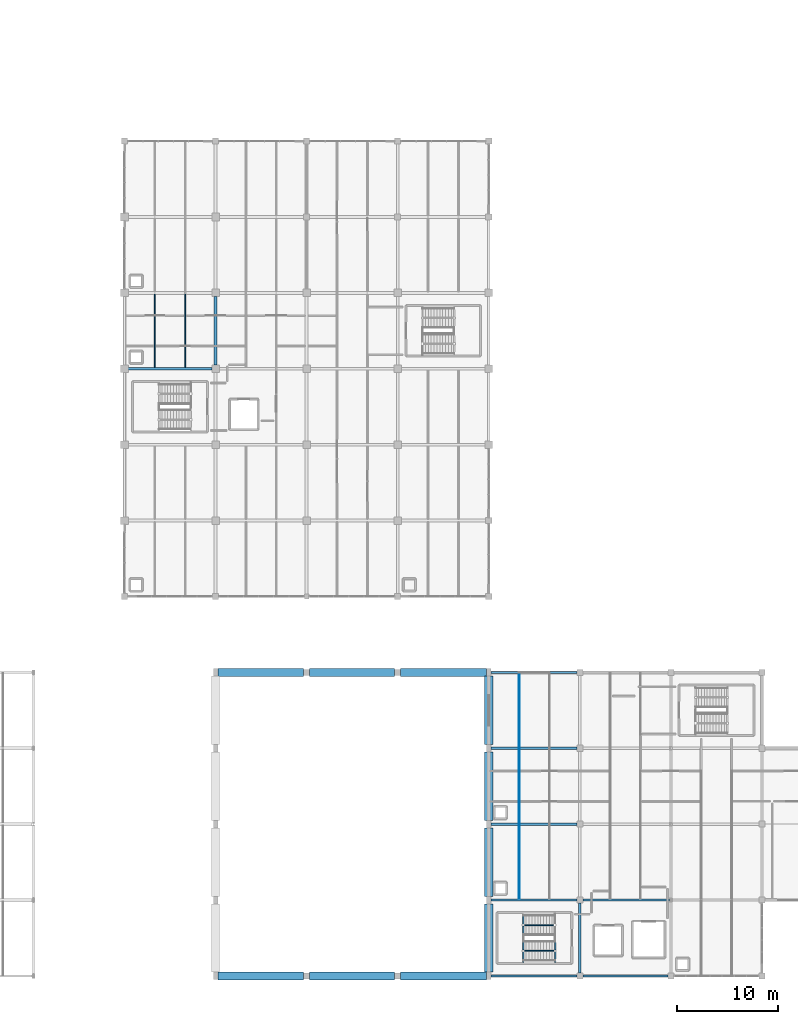
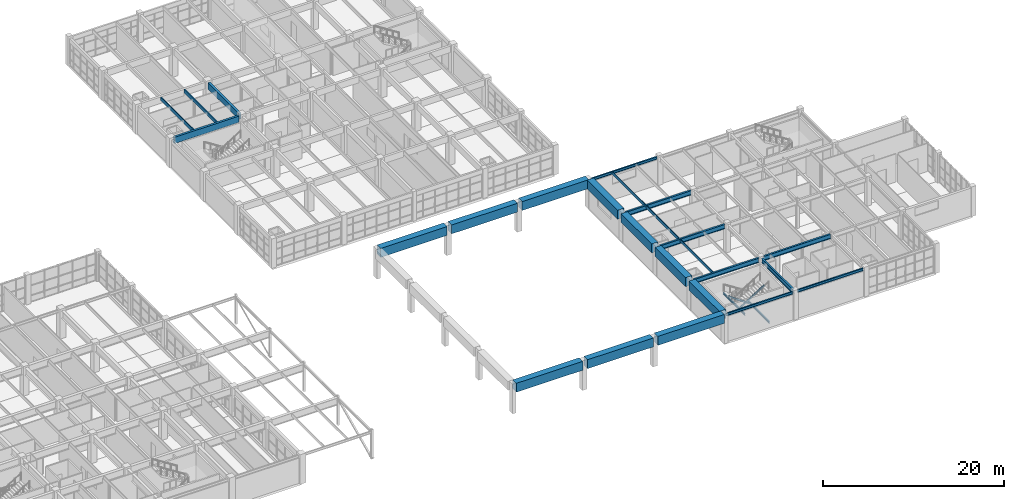
# One storey, part 19 of 76: 27 beams, 2 members.
"""IFC4 building model written with IfcOpenShell, lengths in metres."""

from ifc_helpers import new_model, si_unit, direction, frame, origin, origin_2d, place, context, subcontext, project, spatial, rectangle, hollow_rectangle, i_section, extrude, material, material_profile, profile_set, type_object, element, save


model = new_model("IFC4")

# Units and contexts
model_context = context("Model", 3, precision=1e-05, world=origin(), true_north=direction((0.0, 1.0)))
body_context = subcontext(model_context, "Body", "Model", "MODEL_VIEW")
ifc_project = project(units=[si_unit("LENGTHUNIT", "METRE"), si_unit("AREAUNIT", "SQUARE_METRE"), si_unit("VOLUMEUNIT", "CUBIC_METRE"), si_unit("PLANEANGLEUNIT", "RADIAN"), si_unit("MASSUNIT", "GRAM", prefix="KILO")], contexts=[model_context])

# Site, building, storey
site_placement = place(None, origin())
site = spatial("IfcSite", under=ifc_project, at=site_placement, CompositionType="ELEMENT")
building_placement = place(site_placement, origin())
building = spatial("IfcBuilding", under=site, at=building_placement, Name="Marnridge Secondary College", CompositionType="ELEMENT")
storey_placement = place(building_placement, frame((0.0, 0.0, 4.5)))
storey = spatial("IfcBuildingStorey", under=building, at=storey_placement, Name="L01", CompositionType="ELEMENT", Elevation=4.5)

# Beams
ifc_material_1 = material(Name="Glulam timber GL18", Category="wood")
ifc_material_profile_1 = material_profile(ifc_material_1, rectangle(XDim=0.280029296875, YDim=0.85498046875, at=origin_2d()), Name="GL18 280x855")
ifc_profile_set_1 = profile_set([ifc_material_profile_1], Name="Glulam timber GL18")
beam_type_1 = type_object("IfcBeamType", Name="BM-GL855-INT", PredefinedType="BEAM", material=ifc_profile_set_1)
beam_1_placement = place(storey_placement, frame((54.368896484375, 60.0, 3.3125), z_axis=(1.0, 0.0, 0.0), x_axis=(0.0, 1.0, 0.0)))
element("IfcBeam", 1, at=beam_1_placement, inside=storey, type_object=beam_type_1, Name="Beam B-L01-0423", PredefinedType="BEAM", context=body_context, shape_type="SweptSolid", body=[
    extrude(rectangle(XDim=0.280029296875, YDim=0.85498046875, at=origin_2d()), origin(), (0.0, 0.0, 1.0), 8.26220703125),
])
beam_2_placement = place(storey_placement, frame((63.0, 60.368896484375, 3.3125), z_axis=(0.0, 1.0, 0.0), x_axis=(-1.0, 0.0, 0.0)))
element("IfcBeam", 2, at=beam_2_placement, inside=storey, type_object=beam_type_1, Name="Beam B-L01-0428", PredefinedType="BEAM", context=body_context, shape_type="SweptSolid", body=[
    extrude(rectangle(XDim=0.280029296875, YDim=0.85498046875, at=origin_2d()), origin(), (0.0, 0.0, 1.0), 6.76220703125),
])
ifc_material_2 = material(Name="Engineered timber LVL E13.2", Category="wood")
ifc_material_profile_2 = material_profile(ifc_material_2, rectangle(XDim=0.074951171875, YDim=0.39990234375, at=origin_2d()), Name="LVL 75x400")
ifc_profile_set_2 = profile_set([ifc_material_profile_2], Name="Engineered timber LVL E13.2")
beam_type_2 = type_object("IfcBeamType", Name="BM-LVL400-INT", PredefinedType="JOIST", material=ifc_profile_set_2)
for number, where, z_axis, x_axis, name in (
    (3, (93.0, 7.60791015625, 3.570068359375), (0.0, 1.0, 0.0), (-1.0, 0.0, 0.0), "Beam BJ-L01-0544"),
    (4, (93.0, 15.10791015625, 3.570068359375), (0.0, 1.0, 0.0), (-1.0, 0.0, 0.0), "Beam BJ-L01-0546"),
):
    element("IfcBeam", number, at=place(storey_placement, frame(where, z_axis=z_axis, x_axis=x_axis)), inside=storey, type_object=beam_type_2, Name=name, PredefinedType="JOIST", context=body_context, shape_type="SweptSolid", body=[
        extrude(rectangle(XDim=0.074951171875, YDim=0.39990234375, at=origin_2d()), origin(), (0.0, 0.0, 1.0), 7.2841796875),
    ])
beam_3_placement = place(storey_placement, frame((93.0, 22.60791015625, 3.570068359375), z_axis=(0.0, 1.0, 0.0), x_axis=(-1.0, 0.0, 0.0)))
element("IfcBeam", 5, at=beam_3_placement, inside=storey, type_object=beam_type_2, Name="Beam BJ-L01-0548", PredefinedType="JOIST", context=body_context, shape_type="SweptSolid", body=[
    extrude(rectangle(XDim=0.074951171875, YDim=0.39990234375, at=origin_2d()), origin(), (0.0, 0.0, 1.0), 7.3125),
])
ifc_material_3 = material(Name="Engineered timber LVL E13.2", Category="wood")
ifc_material_profile_3 = material_profile(ifc_material_3, rectangle(XDim=0.1259765625, YDim=0.449951171875, at=origin_2d()), Name="LVL 126x450")
ifc_profile_set_3 = profile_set([ifc_material_profile_3], Name="Engineered timber LVL E13.2")
beam_type_3 = type_object("IfcBeamType", Name="BM-LVL450-INT", PredefinedType="JOIST", material=ifc_profile_set_3)
for number, where, z_axis, x_axis, name in (
    (6, (57.0, 60.134033203125, 3.514892578125), (0.0, 1.0, 0.0), (-1.0, 0.0, 0.0), "Beam BJ-L01-0478"),
    (7, (60.0, 60.134033203125, 3.514892578125), (0.0, 1.0, 0.0), (-1.0, 0.0, 0.0), "Beam BJ-L01-0479"),
):
    element("IfcBeam", number, at=place(storey_placement, frame(where, z_axis=z_axis, x_axis=x_axis)), inside=storey, type_object=beam_type_3, Name=name, PredefinedType="JOIST", context=body_context, shape_type="SweptSolid", body=[
        extrude(rectangle(XDim=0.1259765625, YDim=0.449951171875, at=origin_2d()), origin(), (0.0, 0.0, 1.0), 7.23193359375),
    ])
ifc_material_4 = material(Name="Concrete C50/60 (AS 3600 N50, 50 MPa)", Category="concrete")
ifc_material_profile_4 = material_profile(ifc_material_4, rectangle(XDim=0.800048828125, YDim=1.199951171875, at=origin_2d()), Name="RC 800x1200")
ifc_profile_set_4 = profile_set([ifc_material_profile_4], Name="Concrete C50/60 (AS 3600 N50, 50 MPa)")
beam_type_4 = type_object("IfcBeamType", Name="BM-RING-8012", PredefinedType="USERDEFINED", material=ifc_profile_set_4)
for number, where, z_axis, x_axis, name in (
    (8, (63.218994140625, 0.0, 3.39990234375), (1.0, 0.0, 0.0), (0.0, 1.0, 0.0), "Beam BRG-L01-0021"),
    (9, (63.218994140625, 30.0, 3.39990234375), (1.0, 0.0, 0.0), (0.0, 1.0, 0.0), "Beam BRG-L01-0022"),
):
    element("IfcBeam", number, at=place(storey_placement, frame(where, z_axis=z_axis, x_axis=x_axis)), inside=storey, type_object=beam_type_4, Name=name, ObjectType="RING BEAM", PredefinedType="USERDEFINED", context=body_context, shape_type="SweptSolid", body=[
        extrude(rectangle(XDim=0.800048828125, YDim=1.199951171875, at=origin_2d()), origin(), (0.0, 0.0, 1.0), 8.487060546875),
    ])
for number, where, z_axis, x_axis, name in (
    (10, (72.2939453125, 0.0, 3.39990234375), (1.0, 0.0, 0.0), (0.0, 1.0, 0.0), "Beam BRG-L01-0023"),
    (11, (72.2939453125, 30.0, 3.39990234375), (1.0, 0.0, 0.0), (0.0, 1.0, 0.0), "Beam BRG-L01-0024"),
):
    element("IfcBeam", number, at=place(storey_placement, frame(where, z_axis=z_axis, x_axis=x_axis)), inside=storey, type_object=beam_type_4, Name=name, ObjectType="RING BEAM", PredefinedType="USERDEFINED", context=body_context, shape_type="SweptSolid", body=[
        extrude(rectangle(XDim=0.800048828125, YDim=1.199951171875, at=origin_2d()), origin(), (0.0, 0.0, 1.0), 8.412109375),
    ])
for number, where, z_axis, x_axis, name in (
    (12, (81.2939453125, 0.0, 3.39990234375), (1.0, 0.0, 0.0), (0.0, 1.0, 0.0), "Beam BRG-L01-0025"),
    (13, (81.2939453125, 30.0, 3.39990234375), (1.0, 0.0, 0.0), (0.0, 1.0, 0.0), "Beam BRG-L01-0026"),
):
    element("IfcBeam", number, at=place(storey_placement, frame(where, z_axis=z_axis, x_axis=x_axis)), inside=storey, type_object=beam_type_4, Name=name, ObjectType="RING BEAM", PredefinedType="USERDEFINED", context=body_context, shape_type="SweptSolid", body=[
        extrude(rectangle(XDim=0.800048828125, YDim=1.199951171875, at=origin_2d()), origin(), (0.0, 0.0, 1.0), 8.487060546875),
    ])
for number, where, z_axis, x_axis, name in (
    (14, (90.0, 0.368896484375, 3.39990234375), (0.0, 1.0, 0.0), (-1.0, 0.0, 0.0), "Beam BRG-L01-0028"),
    (15, (90.0, 7.868896484375, 3.39990234375), (0.0, 1.0, 0.0), (-1.0, 0.0, 0.0), "Beam BRG-L01-0030"),
    (16, (90.0, 15.368896484375, 3.39990234375), (0.0, 1.0, 0.0), (-1.0, 0.0, 0.0), "Beam BRG-L01-0032"),
    (17, (90.0, 22.868896484375, 3.39990234375), (0.0, 1.0, 0.0), (-1.0, 0.0, 0.0), "Beam BRG-L01-0034"),
):
    element("IfcBeam", number, at=place(storey_placement, frame(where, z_axis=z_axis, x_axis=x_axis)), inside=storey, type_object=beam_type_4, Name=name, ObjectType="RING BEAM", PredefinedType="USERDEFINED", context=body_context, shape_type="SweptSolid", body=[
        extrude(rectangle(XDim=0.800048828125, YDim=1.199951171875, at=origin_2d()), origin(), (0.0, 0.0, 1.0), 6.76220703125),
    ])
ifc_material_5 = material(Name="Structural steel Grade 350 (AS/NZS 3679.1/.2, fy = 340-360 MPa)", Category="steel")
ifc_material_profile_5 = material_profile(ifc_material_5, i_section(OverallWidth=0.146240234375, OverallDepth=0.256103515625, WebThickness=0.00634765625, FlangeThickness=0.010986328125, FilletRadius=0.0087890625, at=origin_2d()), Name="250UB37.3")
ifc_profile_set_5 = profile_set([ifc_material_profile_5], Name="Structural steel Grade 350 (AS/NZS 3679.1/.2, fy = 340-360 MPa)")
beam_type_5 = type_object("IfcBeamType", Name="BM-UB250-EXT", PredefinedType="LINTEL", material=ifc_profile_set_5)
for number, where, z_axis, x_axis, name in (
    (18, (96.550048828125, 1.342041015625, -0.528076171875), (0.0, 1.0, 0.0), (-1.0, 0.0, 0.0), "Stair landing trimmer beam BT-L01-050"),
    (19, (93.4150390625, 1.342041015625, 1.671875), (0.0, 1.0, 0.0), (-1.0, 0.0, 0.0), "Stair landing trimmer beam BT-L01-051"),
):
    element("IfcBeam", number, at=place(storey_placement, frame(where, z_axis=z_axis, x_axis=x_axis)), inside=storey, type_object=beam_type_5, Name=name, PredefinedType="LINTEL", context=body_context, shape_type="SweptSolid", body=[
        extrude(i_section(OverallWidth=0.146240234375, OverallDepth=0.256103515625, WebThickness=0.00634765625, FlangeThickness=0.010986328125, FilletRadius=0.0087890625, at=origin_2d()), origin(), (0.0, 0.0, 1.0), 4.802978515625),
    ])
ifc_material_6 = material(Name="Structural steel Grade 350 (AS/NZS 3679.1/.2, fy = 340-360 MPa)", Category="steel")
ifc_material_profile_6 = material_profile(ifc_material_6, i_section(OverallWidth=0.1708984375, OverallDepth=0.35205078125, WebThickness=0.0068359375, FlangeThickness=0.009765625, FilletRadius=0.011474609375, at=origin_2d()), Name="360UB44.7")
ifc_profile_set_6 = profile_set([ifc_material_profile_6], Name="Structural steel Grade 350 (AS/NZS 3679.1/.2, fy = 340-360 MPa)")
beam_type_6 = type_object("IfcBeamType", Name="BM-UB360-EXT", PredefinedType="SPANDREL", material=ifc_profile_set_6)
for number, where, z_axis, x_axis, name in (
    (20, (90.218994140625, 0.0, 3.593994140625), (1.0, 0.0, 0.0), (0.0, 1.0, 0.0), "Beam BS-L01-0517"),
    (21, (90.218994140625, 30.0, 3.593994140625), (1.0, 0.0, 0.0), (0.0, 1.0, 0.0), "Beam BS-L01-0524"),
):
    element("IfcBeam", number, at=place(storey_placement, frame(where, z_axis=z_axis, x_axis=x_axis)), inside=storey, type_object=beam_type_6, Name=name, PredefinedType="SPANDREL", context=body_context, shape_type="SweptSolid", body=[
        extrude(i_section(OverallWidth=0.1708984375, OverallDepth=0.35205078125, WebThickness=0.0068359375, FlangeThickness=0.009765625, FilletRadius=0.011474609375, at=origin_2d()), origin(), (0.0, 0.0, 1.0), 8.487060546875),
    ])
beam_4_placement = place(storey_placement, frame((99.2939453125, 0.0, 3.593994140625), z_axis=(1.0, 0.0, 0.0), x_axis=(0.0, 1.0, 0.0)))
element("IfcBeam", 22, at=beam_4_placement, inside=storey, type_object=beam_type_6, Name="Beam BS-L01-0526", PredefinedType="SPANDREL", context=body_context, shape_type="SweptSolid", body=[
    extrude(i_section(OverallWidth=0.1708984375, OverallDepth=0.35205078125, WebThickness=0.0068359375, FlangeThickness=0.009765625, FilletRadius=0.011474609375, at=origin_2d()), origin(), (0.0, 0.0, 1.0), 8.412109375),
])
ifc_material_7 = material(Name="Structural steel Grade 350 (AS/NZS 3679.1/.2, fy = 340-360 MPa)", Category="steel")
ifc_material_profile_7 = material_profile(ifc_material_7, i_section(OverallWidth=0.2275390625, OverallDepth=0.602294921875, WebThickness=0.010498046875, FlangeThickness=0.014892578125, FilletRadius=0.013916015625, at=origin_2d()), Name="610UB101")
ifc_profile_set_7 = profile_set([ifc_material_profile_7], Name="Structural steel Grade 350 (AS/NZS 3679.1/.2, fy = 340-360 MPa)")
beam_type_7 = type_object("IfcBeamType", Name="BM-UB610A-INT", PredefinedType="BEAM", material=ifc_profile_set_7)
beam_5_placement = place(storey_placement, frame((90.218994140625, 7.5, 3.468994140625), z_axis=(1.0, 0.0, 0.0), x_axis=(0.0, 1.0, 0.0)))
element("IfcBeam", 23, at=beam_5_placement, inside=storey, type_object=beam_type_7, Name="Beam B-L01-0518", PredefinedType="BEAM", context=body_context, shape_type="SweptSolid", body=[
    extrude(i_section(OverallWidth=0.2275390625, OverallDepth=0.602294921875, WebThickness=0.010498046875, FlangeThickness=0.014892578125, FilletRadius=0.013916015625, at=origin_2d()), origin(), (0.0, 0.0, 1.0), 8.487060546875),
])
beam_6_placement = place(storey_placement, frame((99.0, 0.2939453125, 3.468994140625), z_axis=(0.0, 1.0, 0.0), x_axis=(-1.0, 0.0, 0.0)))
element("IfcBeam", 24, at=beam_6_placement, inside=storey, type_object=beam_type_7, Name="Beam B-L01-0519", PredefinedType="BEAM", context=body_context, shape_type="SweptSolid", body=[
    extrude(i_section(OverallWidth=0.2275390625, OverallDepth=0.602294921875, WebThickness=0.010498046875, FlangeThickness=0.014892578125, FilletRadius=0.013916015625, at=origin_2d()), origin(), (0.0, 0.0, 1.0), 6.912109375),
])
for number, where, z_axis, x_axis, name in (
    (25, (90.218994140625, 15.0, 3.468994140625), (1.0, 0.0, 0.0), (0.0, 1.0, 0.0), "Beam B-L01-0520"),
    (26, (90.218994140625, 22.5, 3.468994140625), (1.0, 0.0, 0.0), (0.0, 1.0, 0.0), "Beam B-L01-0522"),
):
    element("IfcBeam", number, at=place(storey_placement, frame(where, z_axis=z_axis, x_axis=x_axis)), inside=storey, type_object=beam_type_7, Name=name, PredefinedType="BEAM", context=body_context, shape_type="SweptSolid", body=[
        extrude(i_section(OverallWidth=0.2275390625, OverallDepth=0.602294921875, WebThickness=0.010498046875, FlangeThickness=0.014892578125, FilletRadius=0.013916015625, at=origin_2d()), origin(), (0.0, 0.0, 1.0), 8.487060546875),
    ])
beam_7_placement = place(storey_placement, frame((99.2939453125, 7.5, 3.468994140625), z_axis=(1.0, 0.0, 0.0), x_axis=(0.0, 1.0, 0.0)))
element("IfcBeam", 27, at=beam_7_placement, inside=storey, type_object=beam_type_7, Name="Beam B-L01-0527", PredefinedType="BEAM", context=body_context, shape_type="SweptSolid", body=[
    extrude(i_section(OverallWidth=0.2275390625, OverallDepth=0.602294921875, WebThickness=0.010498046875, FlangeThickness=0.014892578125, FilletRadius=0.013916015625, at=origin_2d()), origin(), (0.0, 0.0, 1.0), 8.557373046875),
])

# Members
ifc_material_8 = material(Name="Cold-formed steel Grade C350L0 (AS/NZS 1163, fy = 350 MPa)", Category="steel")
ifc_material_profile_8 = material_profile(ifc_material_8, hollow_rectangle(XDim=0.10009765625, YDim=0.199951171875, WallThickness=0.006103515625, at=origin_2d()), Name="200x100x6.0RHS")
ifc_profile_set_8 = profile_set([ifc_material_profile_8], Name="Cold-formed steel Grade C350L0 (AS/NZS 1163, fy = 350 MPa)")
member_type = type_object("IfcMemberType", Name="MB-STR-RHS200", PredefinedType="STRINGER", material=ifc_profile_set_8)
member_1_placement = place(storey_placement, frame((96.550048828125, 5.030029296875, -0.30810546875), z_axis=(-0.818533555274, 0.0, 0.574458718178), x_axis=(0.0, -1.0, 0.0)))
element("IfcMember", 28, at=member_1_placement, inside=storey, type_object=member_type, Name="Stair stringer STR-051", PredefinedType="STRINGER", context=body_context, shape_type="SweptSolid", body=[
    extrude(hollow_rectangle(XDim=0.10009765625, YDim=0.199951171875, WallThickness=0.006103515625, at=origin_2d()), origin(), (0.0, 0.0, 1.0), 3.830078125),
])
member_2_placement = place(storey_placement, frame((93.4150390625, 2.469970703125, 1.89208984375), z_axis=(0.846710388579, 0.0, 0.532054055404), x_axis=(0.0, 1.0, 0.0)))
element("IfcMember", 29, at=member_2_placement, inside=storey, type_object=member_type, Name="Stair stringer STR-052", PredefinedType="STRINGER", context=body_context, shape_type="SweptSolid", body=[
    extrude(hollow_rectangle(XDim=0.10009765625, YDim=0.199951171875, WallThickness=0.006103515625, at=origin_2d()), origin(), (0.0, 0.0, 1.0), 3.70263671875),
])

save(model, "model.ifc")
